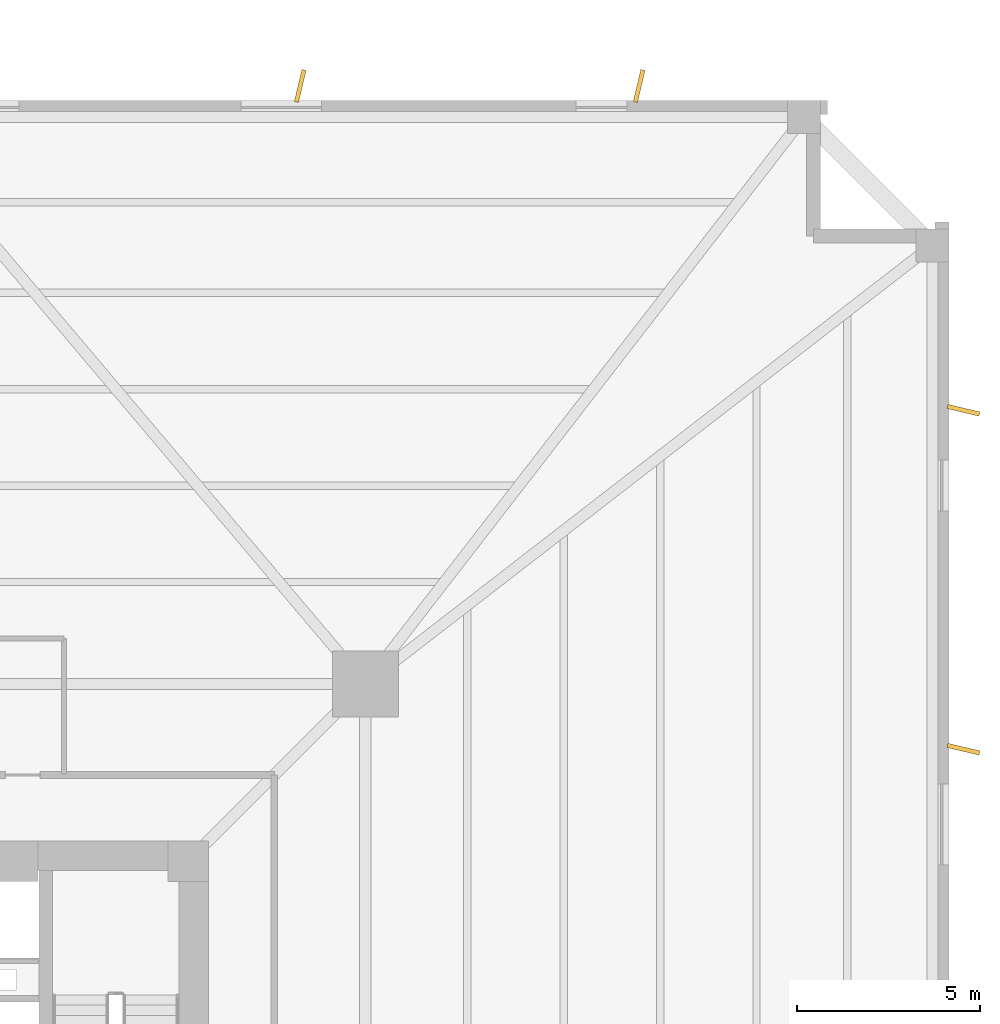
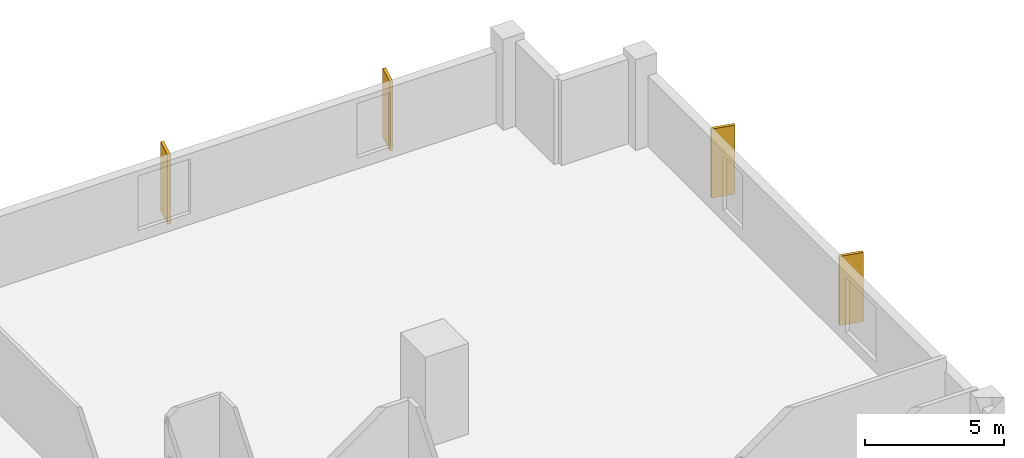
# One storey, part 8 of 8: 4 coverings.
"""IFC4 building model written with IfcOpenShell, lengths in metres."""

from ifc_helpers import new_model, si_unit, direction, frame, origin, origin_2d, place, context, subcontext, project, spatial, rectangle, extrude, source, transform, mapped, material, layer, layer_set, type_object, element, save


model = new_model("IFC4")

# Units and contexts
model_context = context("Model", 3, precision=1e-05, world=origin(), true_north=direction((0.0, 1.0)))
body_context = subcontext(model_context, "Body", "Model", "MODEL_VIEW")
ifc_project = project(units=[si_unit("LENGTHUNIT", "METRE"), si_unit("AREAUNIT", "SQUARE_METRE"), si_unit("VOLUMEUNIT", "CUBIC_METRE"), si_unit("PLANEANGLEUNIT", "RADIAN"), si_unit("MASSUNIT", "GRAM", prefix="KILO"), si_unit("THERMODYNAMICTEMPERATUREUNIT", "KELVIN")], contexts=[model_context])

# Site, building, storey
site_placement = place(None, origin())
site = spatial("IfcSite", under=ifc_project, at=site_placement, CompositionType="ELEMENT")
building_placement = place(site_placement, origin())
building = spatial("IfcBuilding", under=site, at=building_placement, Name="Kosmvard Interchange Tower", CompositionType="ELEMENT")
storey_placement = place(building_placement, frame((0.0, 0.0, 50.0)))
storey = spatial("IfcBuildingStorey", under=building, at=storey_placement, Name="L11", CompositionType="ELEMENT", Elevation=50.0)

# Coverings
ifc_material = material(Name="Architectural anodised aluminium", Category="aluminium")
ifc_layer = layer(ifc_material, 0.1201171875, Name="Architectural anodised aluminium")
ifc_layer_set = layer_set([ifc_layer], Name="Architectural anodised aluminium")
covering_type = type_object("IfcCoveringType", Name="Rotating Vertical Sun-Breaker Fin 900x120 Aluminium", PredefinedType="CLADDING", material=ifc_layer_set)
shared_shape = source(origin(), body_context, "Body", "SweptSolid", [
    extrude(rectangle(XDim=0.89990234375, YDim=0.1201171875, at=origin_2d()), origin(), (0.0, 0.0, 1.0), 3.0400390625),
])
for number, where, z_axis, x_axis, name in (
    (1, (29.39990234375, 11.3037109375, 0.0400390625), (0.0, 0.0, 1.0), (0.973178872777, -0.230049737188, 0.0), "L11 Rotating Vertical Sun-Breaker Fin 07"),
    (2, (29.39990234375, 20.552001953125, 0.0400390625), (0.0, 0.0, 1.0), (0.973178872777, -0.230049737188, 0.0), "L11 Rotating Vertical Sun-Breaker Fin 08"),
    (3, (20.552001953125, 29.39990234375, 0.0400390625), (0.0, 0.0, 1.0), (0.230049737188, 0.973178872777, 0.0), "L11 Rotating Vertical Sun-Breaker Fin 09"),
    (4, (11.3037109375, 29.39990234375, 0.0400390625), (0.0, 0.0, 1.0), (0.230049737188, 0.973178872777, 0.0), "L11 Rotating Vertical Sun-Breaker Fin 10"),
):
    element("IfcCovering", number, at=place(storey_placement, frame(where, z_axis=z_axis, x_axis=x_axis)), inside=storey, type_object=covering_type, Name=name, PredefinedType="CLADDING", context=body_context, shape_type="MappedRepresentation", body=[
        mapped(shared_shape, transform((0.0, 0.0, 0.0), scale=1.0)),
    ])

save(model, "model.ifc")
